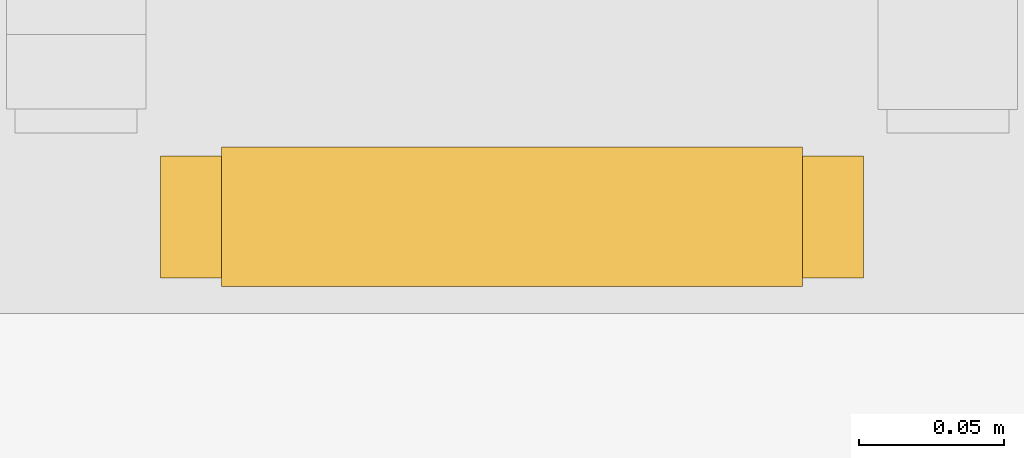
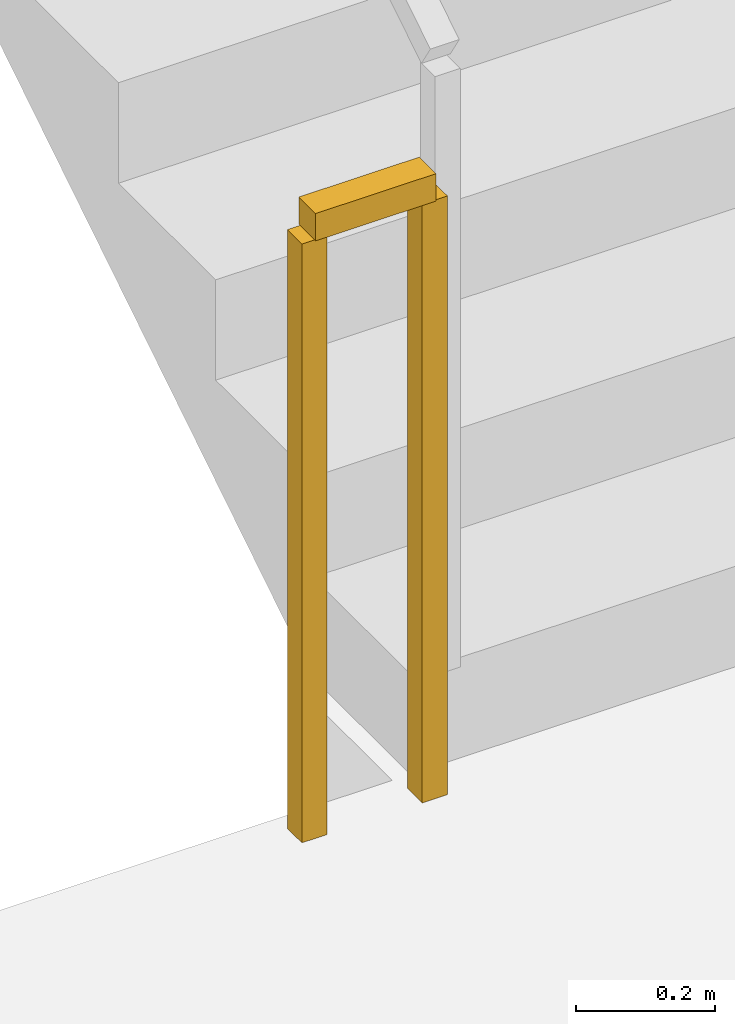
# One storey, part 17 of 21: 1 railing.
"""IFC4 building model written with IfcOpenShell, lengths in metres."""

from ifc_helpers import new_model, si_unit, direction, frame, origin, origin_2d, place, context, subcontext, project, spatial, rectangle, extrude, material, type_object, element, save


model = new_model("IFC4")

# Units and contexts
model_context = context("Model", 3, precision=1e-05, world=origin(), true_north=direction((0.0, 1.0)))
body_context = subcontext(model_context, "Body", "Model", "MODEL_VIEW")
ifc_project = project(units=[si_unit("LENGTHUNIT", "METRE"), si_unit("AREAUNIT", "SQUARE_METRE"), si_unit("VOLUMEUNIT", "CUBIC_METRE"), si_unit("PLANEANGLEUNIT", "RADIAN"), si_unit("MASSUNIT", "GRAM", prefix="KILO")], contexts=[model_context])

# Site, building, storey
site_placement = place(None, origin())
site = spatial("IfcSite", under=ifc_project, at=site_placement, CompositionType="ELEMENT")
building_placement = place(site_placement, origin())
building = spatial("IfcBuilding", under=site, at=building_placement, Name="Haldorwick Loom Tower", CompositionType="ELEMENT")
storey_placement = place(building_placement, origin())
storey = spatial("IfcBuildingStorey", under=building, at=storey_placement, Name="L00", CompositionType="ELEMENT", Elevation=0.0)

# Railing
ifc_material = material(Name="Steel CSA G40.21 350W", Category="steel")
railing_type = type_object("IfcRailingType", Name="ARC-RLG-GUARD112", PredefinedType="GUARDRAIL", material=ifc_material)
railing_placement = place(storey_placement, frame((48.550048828125, 28.35009765625, 0.0)))
element("IfcRailing", 1, at=railing_placement, inside=storey, type_object=railing_type, Name="L00 ST-02 stair guard 4", PredefinedType="GUARDRAIL", context=body_context, shape_type="SweptSolid", body=[
    extrude(rectangle(XDim=0.048095703125, YDim=0.048095703125, at=origin_2d()), frame((0.0, 0.0, 1.076171875), z_axis=(-1.0, 0.0, 0.0), x_axis=(0.0, -1.0, 0.0)), (0.0, 0.0, 1.0), 0.199951171875),
    extrude(rectangle(XDim=0.0419921875, YDim=0.0419921875, at=origin_2d()), origin(), (0.0, 0.0, 1.0), 1.052001953125),
    extrude(rectangle(XDim=0.0419921875, YDim=0.0419921875, at=origin_2d()), frame((-0.199951171875, 0.0, 0.0)), (0.0, 0.0, 1.0), 1.052001953125),
])

save(model, "model.ifc")
